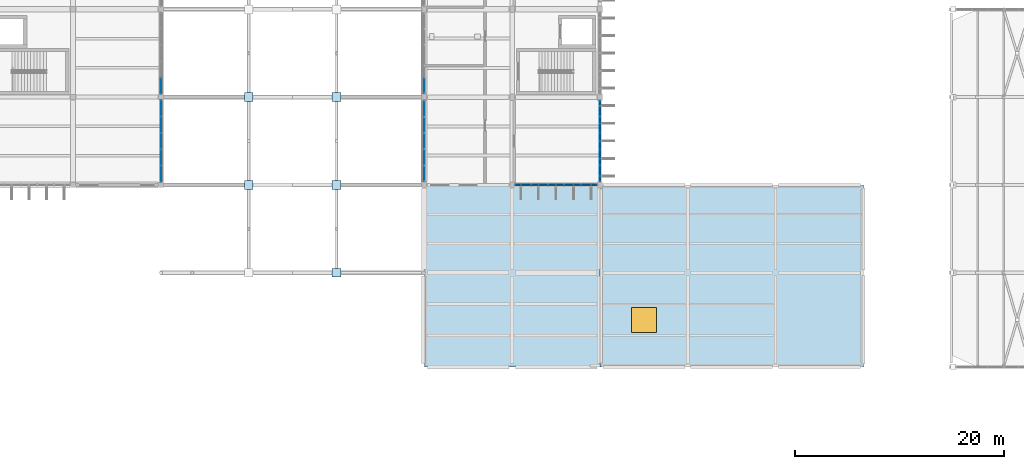
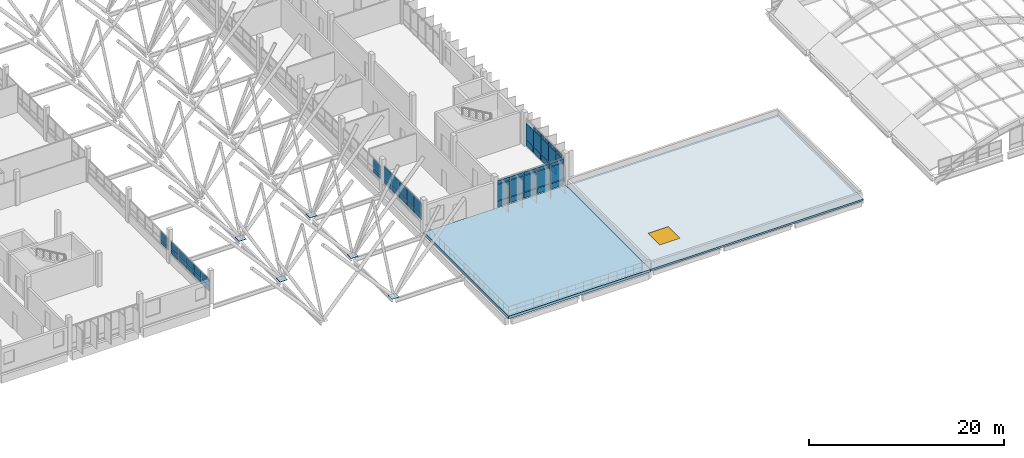
# One storey, part 74 of 107: 58 plates, 2 slabs, 1 window, 1 opening, 6 elements without a shape of their own.
"""IFC4 building model written with IfcOpenShell, lengths in metres."""

from ifc_helpers import new_model, si_unit, direction, frame, origin, origin_2d, place, context, subcontext, project, spatial, polyline, rectangle, outline, extrude, material, layer, layer_set, type_object, element, fill, aggregate, save


model = new_model("IFC4")

# Units and contexts
model_context = context("Model", 3, precision=1e-05, world=origin(), true_north=direction((0.0, 1.0)))
body_context = subcontext(model_context, "Body", "Model", "MODEL_VIEW")
ifc_project = project(units=[si_unit("LENGTHUNIT", "METRE"), si_unit("AREAUNIT", "SQUARE_METRE"), si_unit("VOLUMEUNIT", "CUBIC_METRE"), si_unit("PLANEANGLEUNIT", "RADIAN"), si_unit("MASSUNIT", "GRAM", prefix="KILO")], contexts=[model_context])

# Site, building, storey
site_placement = place(None, origin())
site = spatial("IfcSite", under=ifc_project, at=site_placement, CompositionType="ELEMENT")
building_placement = place(site_placement, origin())
building = spatial("IfcBuilding", under=site, at=building_placement, Name="Vireocrest Preparatory School", CompositionType="ELEMENT")
storey_placement = place(building_placement, frame((0.0, 0.0, 13.199951171875)))
storey = spatial("IfcBuildingStorey", under=building, at=storey_placement, Name="L03", CompositionType="ELEMENT", Elevation=13.199951171875)

# Curtain wall, plates
ifc_material_1 = material(Name="Thermally broken aluminium EN AW-6063-T6", Category="aluminium")
ifc_layer_1 = layer(ifc_material_1, 0.179931640625)
ifc_layer_set_1 = layer_set([ifc_layer_1], Name="Thermally broken aluminium EN AW-6063-T6")
curtain_wall_type_1 = type_object("IfcCurtainWallType", Name="Library Reading Bay Glazing 7600x4200", PredefinedType="USERDEFINED", material=ifc_layer_set_1)
curtain_wall_1_placement = place(storey_placement, origin())
curtain_wall_1 = element("IfcCurtainWall", 1, at=curtain_wall_1_placement, inside=storey, type_object=curtain_wall_type_1, Name="Curtain Wall CW16 CW_L03_CW16_1010_0354_132", ObjectType="CURTAIN WALL", PredefinedType="USERDEFINED")
ifc_material_2 = material(Name="Insulated triple low-e tempered safety glass", Category="glass")
ifc_layer_2 = layer(ifc_material_2, 0.074951171875)
ifc_layer_set_2 = layer_set([ifc_layer_2], Name="Insulated triple low-e tempered safety glass")
plate_type_1 = type_object("IfcPlateType", Name="Acoustic Triple-Glazed Lab Curtain Panel 75", PredefinedType="CURTAIN_PANEL", material=ifc_layer_set_2)
plate_1_placement = place(storey_placement, frame((101.847900390625, 35.39990234375, 0.8828125), z_axis=(0.0, 0.0, 1.0), x_axis=(1.0, 0.0, 0.0)))
plate_1 = element("IfcPlate", 2, at=plate_1_placement, type_object=plate_type_1, Name="CW Panel GL2 CW_L03_CW16_1010_0354_132-1-2", PredefinedType="CURTAIN_PANEL", context=body_context, shape_type="SweptSolid", body=[
    extrude(rectangle(XDim=1.510986328125, YDim=0.074951171875, at=origin_2d()), origin(), (0.0, 0.0, 1.0), 2.014892578125),
])
plate_2_placement = place(storey_placement, frame((101.847900390625, 35.39990234375, 2.96240234375), z_axis=(0.0, 0.0, 1.0), x_axis=(1.0, 0.0, 0.0)))
plate_2 = element("IfcPlate", 3, at=plate_2_placement, type_object=plate_type_1, Name="CW Panel GL2 CW_L03_CW16_1010_0354_132-1-3", PredefinedType="CURTAIN_PANEL", context=body_context, shape_type="SweptSolid", body=[
    extrude(rectangle(XDim=1.510986328125, YDim=0.074951171875, at=origin_2d()), origin(), (0.0, 0.0, 1.0), 0.409912109375),
])
plate_3_placement = place(storey_placement, frame((103.424072265625, 35.39990234375, 0.8828125), z_axis=(0.0, 0.0, 1.0), x_axis=(1.0, 0.0, 0.0)))
plate_3 = element("IfcPlate", 4, at=plate_3_placement, type_object=plate_type_1, Name="CW Panel GL2 CW_L03_CW16_1010_0354_132-2-2", PredefinedType="CURTAIN_PANEL", context=body_context, shape_type="SweptSolid", body=[
    extrude(rectangle(XDim=1.510986328125, YDim=0.074951171875, at=origin_2d()), origin(), (0.0, 0.0, 1.0), 2.014892578125),
])
plate_4_placement = place(storey_placement, frame((103.424072265625, 35.39990234375, 2.96240234375), z_axis=(0.0, 0.0, 1.0), x_axis=(1.0, 0.0, 0.0)))
plate_4 = element("IfcPlate", 5, at=plate_4_placement, type_object=plate_type_1, Name="CW Panel GL2 CW_L03_CW16_1010_0354_132-2-3", PredefinedType="CURTAIN_PANEL", context=body_context, shape_type="SweptSolid", body=[
    extrude(rectangle(XDim=1.510986328125, YDim=0.074951171875, at=origin_2d()), origin(), (0.0, 0.0, 1.0), 0.409912109375),
])
plate_5_placement = place(storey_placement, frame((105.0, 35.39990234375, 0.8828125), z_axis=(0.0, 0.0, 1.0), x_axis=(1.0, 0.0, 0.0)))
plate_5 = element("IfcPlate", 6, at=plate_5_placement, type_object=plate_type_1, Name="CW Panel GL2 CW_L03_CW16_1010_0354_132-3-2", PredefinedType="CURTAIN_PANEL", context=body_context, shape_type="SweptSolid", body=[
    extrude(rectangle(XDim=1.510986328125, YDim=0.074951171875, at=origin_2d()), origin(), (0.0, 0.0, 1.0), 2.014892578125),
])
plate_6_placement = place(storey_placement, frame((105.0, 35.39990234375, 2.96240234375), z_axis=(0.0, 0.0, 1.0), x_axis=(1.0, 0.0, 0.0)))
plate_6 = element("IfcPlate", 7, at=plate_6_placement, type_object=plate_type_1, Name="CW Panel GL2 CW_L03_CW16_1010_0354_132-3-3", PredefinedType="CURTAIN_PANEL", context=body_context, shape_type="SweptSolid", body=[
    extrude(rectangle(XDim=1.510986328125, YDim=0.074951171875, at=origin_2d()), origin(), (0.0, 0.0, 1.0), 0.409912109375),
])
plate_7_placement = place(storey_placement, frame((106.575927734375, 35.39990234375, 0.8828125), z_axis=(0.0, 0.0, 1.0), x_axis=(1.0, 0.0, 0.0)))
plate_7 = element("IfcPlate", 8, at=plate_7_placement, type_object=plate_type_1, Name="CW Panel GL2 CW_L03_CW16_1010_0354_132-4-2", PredefinedType="CURTAIN_PANEL", context=body_context, shape_type="SweptSolid", body=[
    extrude(rectangle(XDim=1.510986328125, YDim=0.074951171875, at=origin_2d()), origin(), (0.0, 0.0, 1.0), 2.014892578125),
])
plate_8_placement = place(storey_placement, frame((106.575927734375, 35.39990234375, 2.96240234375), z_axis=(0.0, 0.0, 1.0), x_axis=(1.0, 0.0, 0.0)))
plate_8 = element("IfcPlate", 9, at=plate_8_placement, type_object=plate_type_1, Name="CW Panel GL2 CW_L03_CW16_1010_0354_132-4-3", PredefinedType="CURTAIN_PANEL", context=body_context, shape_type="SweptSolid", body=[
    extrude(rectangle(XDim=1.510986328125, YDim=0.074951171875, at=origin_2d()), origin(), (0.0, 0.0, 1.0), 0.409912109375),
])
plate_9_placement = place(storey_placement, frame((108.152099609375, 35.39990234375, 0.8828125), z_axis=(0.0, 0.0, 1.0), x_axis=(1.0, 0.0, 0.0)))
plate_9 = element("IfcPlate", 10, at=plate_9_placement, type_object=plate_type_1, Name="CW Panel GL2 CW_L03_CW16_1010_0354_132-5-2", PredefinedType="CURTAIN_PANEL", context=body_context, shape_type="SweptSolid", body=[
    extrude(rectangle(XDim=1.510986328125, YDim=0.074951171875, at=origin_2d()), origin(), (0.0, 0.0, 1.0), 2.014892578125),
])
plate_10_placement = place(storey_placement, frame((108.152099609375, 35.39990234375, 2.96240234375), z_axis=(0.0, 0.0, 1.0), x_axis=(1.0, 0.0, 0.0)))
plate_10 = element("IfcPlate", 11, at=plate_10_placement, type_object=plate_type_1, Name="CW Panel GL2 CW_L03_CW16_1010_0354_132-5-3", PredefinedType="CURTAIN_PANEL", context=body_context, shape_type="SweptSolid", body=[
    extrude(rectangle(XDim=1.510986328125, YDim=0.074951171875, at=origin_2d()), origin(), (0.0, 0.0, 1.0), 0.409912109375),
])

ifc_layer_3 = layer(ifc_material_1, 0.179931640625)
ifc_layer_set_3 = layer_set([ifc_layer_3], Name="Thermally broken aluminium EN AW-6063-T6")
curtain_wall_type_2 = type_object("IfcCurtainWallType", Name="Teaching Fin Curtain Wall 8400x4200", PredefinedType="USERDEFINED", material=ifc_layer_set_3)
curtain_wall_2_placement = place(storey_placement, origin())
curtain_wall_2 = element("IfcCurtainWall", 12, at=curtain_wall_2_placement, inside=storey, type_object=curtain_wall_type_2, Name="Curtain Wall CW03 CW_L03_CW03_1092_0357_132", ObjectType="CURTAIN WALL", PredefinedType="USERDEFINED")
plate_11_placement = place(storey_placement, frame((109.199951171875, 36.508056640625, 0.8828125), z_axis=(0.0, 0.0, 1.0), x_axis=(0.0, 1.0, 0.0)))
plate_11 = element("IfcPlate", 13, at=plate_11_placement, type_object=plate_type_1, Name="CW Panel GL2 CW_L03_CW03_1092_0357_132-1-2", PredefinedType="CURTAIN_PANEL", context=body_context, shape_type="SweptSolid", body=[
    extrude(rectangle(XDim=1.48095703125, YDim=0.074951171875, at=origin_2d()), origin(), (0.0, 0.0, 1.0), 2.014892578125),
])
plate_12_placement = place(storey_placement, frame((109.199951171875, 36.508056640625, 2.96240234375), z_axis=(0.0, 0.0, 1.0), x_axis=(0.0, 1.0, 0.0)))
plate_12 = element("IfcPlate", 14, at=plate_12_placement, type_object=plate_type_1, Name="CW Panel GL2 CW_L03_CW03_1092_0357_132-1-3", PredefinedType="CURTAIN_PANEL", context=body_context, shape_type="SweptSolid", body=[
    extrude(rectangle(XDim=1.48095703125, YDim=0.074951171875, at=origin_2d()), origin(), (0.0, 0.0, 1.0), 0.409912109375),
])
plate_13_placement = place(storey_placement, frame((109.199951171875, 38.053955078125, 0.8828125), z_axis=(0.0, 0.0, 1.0), x_axis=(0.0, 1.0, 0.0)))
plate_13 = element("IfcPlate", 15, at=plate_13_placement, type_object=plate_type_1, Name="CW Panel GL2 CW_L03_CW03_1092_0357_132-2-2", PredefinedType="CURTAIN_PANEL", context=body_context, shape_type="SweptSolid", body=[
    extrude(rectangle(XDim=1.48095703125, YDim=0.074951171875, at=origin_2d()), origin(), (0.0, 0.0, 1.0), 2.014892578125),
])
plate_14_placement = place(storey_placement, frame((109.199951171875, 38.053955078125, 2.96240234375), z_axis=(0.0, 0.0, 1.0), x_axis=(0.0, 1.0, 0.0)))
plate_14 = element("IfcPlate", 16, at=plate_14_placement, type_object=plate_type_1, Name="CW Panel GL2 CW_L03_CW03_1092_0357_132-2-3", PredefinedType="CURTAIN_PANEL", context=body_context, shape_type="SweptSolid", body=[
    extrude(rectangle(XDim=1.48095703125, YDim=0.074951171875, at=origin_2d()), origin(), (0.0, 0.0, 1.0), 0.409912109375),
])
plate_15_placement = place(storey_placement, frame((109.199951171875, 39.60009765625, 0.8828125), z_axis=(0.0, 0.0, 1.0), x_axis=(0.0, 1.0, 0.0)))
plate_15 = element("IfcPlate", 17, at=plate_15_placement, type_object=plate_type_1, Name="CW Panel GL2 CW_L03_CW03_1092_0357_132-3-2", PredefinedType="CURTAIN_PANEL", context=body_context, shape_type="SweptSolid", body=[
    extrude(rectangle(XDim=1.48095703125, YDim=0.074951171875, at=origin_2d()), origin(), (0.0, 0.0, 1.0), 2.014892578125),
])
plate_16_placement = place(storey_placement, frame((109.199951171875, 39.60009765625, 2.96240234375), z_axis=(0.0, 0.0, 1.0), x_axis=(0.0, 1.0, 0.0)))
plate_16 = element("IfcPlate", 18, at=plate_16_placement, type_object=plate_type_1, Name="CW Panel GL2 CW_L03_CW03_1092_0357_132-3-3", PredefinedType="CURTAIN_PANEL", context=body_context, shape_type="SweptSolid", body=[
    extrude(rectangle(XDim=1.48095703125, YDim=0.074951171875, at=origin_2d()), origin(), (0.0, 0.0, 1.0), 0.409912109375),
])
plate_17_placement = place(storey_placement, frame((109.199951171875, 41.14599609375, 0.8828125), z_axis=(0.0, 0.0, 1.0), x_axis=(0.0, 1.0, 0.0)))
plate_17 = element("IfcPlate", 19, at=plate_17_placement, type_object=plate_type_1, Name="CW Panel GL2 CW_L03_CW03_1092_0357_132-4-2", PredefinedType="CURTAIN_PANEL", context=body_context, shape_type="SweptSolid", body=[
    extrude(rectangle(XDim=1.48095703125, YDim=0.074951171875, at=origin_2d()), origin(), (0.0, 0.0, 1.0), 2.014892578125),
])
plate_18_placement = place(storey_placement, frame((109.199951171875, 41.14599609375, 2.96240234375), z_axis=(0.0, 0.0, 1.0), x_axis=(0.0, 1.0, 0.0)))
plate_18 = element("IfcPlate", 20, at=plate_18_placement, type_object=plate_type_1, Name="CW Panel GL2 CW_L03_CW03_1092_0357_132-4-3", PredefinedType="CURTAIN_PANEL", context=body_context, shape_type="SweptSolid", body=[
    extrude(rectangle(XDim=1.48095703125, YDim=0.074951171875, at=origin_2d()), origin(), (0.0, 0.0, 1.0), 0.409912109375),
])
plate_19_placement = place(storey_placement, frame((109.199951171875, 42.69189453125, 0.8828125), z_axis=(0.0, 0.0, 1.0), x_axis=(0.0, 1.0, 0.0)))
plate_19 = element("IfcPlate", 21, at=plate_19_placement, type_object=plate_type_1, Name="CW Panel GL2 CW_L03_CW03_1092_0357_132-5-2", PredefinedType="CURTAIN_PANEL", context=body_context, shape_type="SweptSolid", body=[
    extrude(rectangle(XDim=1.48095703125, YDim=0.074951171875, at=origin_2d()), origin(), (0.0, 0.0, 1.0), 2.014892578125),
])

# Slab, opening, window
ifc_material_3 = material(Name="Concrete 40 MPa", Category="concrete")
ifc_layer_4 = layer(ifc_material_3, 0.219970703125)
ifc_layer_set_4 = layer_set([ifc_layer_4], Name="Concrete 40 MPa")
slab_type_1 = type_object("IfcSlabType", Name="Insulated Flat Concrete Roof Slab 220", PredefinedType="ROOF", material=ifc_layer_set_4)
slab_1_placement = place(storey_placement, frame((0.0, 0.0, -0.219970703125)))
slab_1 = element("IfcSlab", 22, at=slab_1_placement, inside=storey, type_object=slab_type_1, Name="Slab L03_EAST_STUDIO_ROOF", PredefinedType="ROOF", context=body_context, shape_type="SweptSolid", body=[
    extrude(outline(polyline([(109.199951171875, 18.0), (134.39990234375, 18.0), (134.39990234375, 35.39990234375), (109.199951171875, 35.39990234375), (109.199951171875, 18.0)])), origin(), (0.0, 0.0, 1.0), 0.219970703125),
])
opening_placement = place(slab_1_placement, frame((113.39990234375, 22.5, -0.010009765625)))
opening = element("IfcOpeningElement", 23, at=opening_placement, cuts=slab_1, Name="Opening SK05", PredefinedType="OPENING", context=body_context, shape_type="SweptSolid", body=[
    extrude(rectangle(XDim=2.39990234375, YDim=2.39990234375, at=origin_2d()), origin(), (0.0, 0.0, 1.0), 0.239990234375),
])
ifc_material_4 = material(Name="Tempered solar-control skylight glass", Category="glass")
window_type = type_object("IfcWindowType", Name="Science Atrium Skylight 2400x2400", PartitioningType="SINGLE_PANEL", PredefinedType="SKYLIGHT", material=ifc_material_4)
window_placement = place(opening_placement, frame((0.0, 0.0, 0.179931640625)))
window = element("IfcWindow", 24, at=window_placement, inside=storey, type_object=window_type, Name="Roof Skylight SK05-04", OverallHeight=2.39990234375, OverallWidth=2.39990234375, PartitioningType="SINGLE_PANEL", PredefinedType="SKYLIGHT", context=body_context, shape_type="SweptSolid", body=[
    extrude(rectangle(XDim=2.39990234375, YDim=2.39990234375, at=origin_2d()), origin(), (0.0, 0.0, 1.0), 0.050048828125),
])
fill(opening, window)

# Plate
ifc_material_5 = material(Name="Painted white aluminium cladding EN AW-6063-T6", Category="aluminium")
ifc_layer_5 = layer(ifc_material_5, 0.114990234375)
ifc_layer_set_5 = layer_set([ifc_layer_5], Name="Painted white aluminium cladding EN AW-6063-T6")
plate_type_2 = type_object("IfcPlateType", Name="Insulated White Spandrel Curtain Panel 115", PredefinedType="CURTAIN_PANEL", material=ifc_layer_set_5)
plate_20_placement = place(storey_placement, frame((101.847900390625, 35.39990234375, 0.127685546875), z_axis=(0.0, 0.0, 1.0), x_axis=(1.0, 0.0, 0.0)))
plate_20 = element("IfcPlate", 25, at=plate_20_placement, type_object=plate_type_2, Name="CW Panel SP2 CW_L03_CW16_1010_0354_132-1-1", PredefinedType="CURTAIN_PANEL", context=body_context, shape_type="SweptSolid", body=[
    extrude(rectangle(XDim=1.510986328125, YDim=0.114990234375, at=origin_2d()), origin(), (0.0, 0.0, 1.0), 0.68994140625),
])

plate_21_placement = place(storey_placement, frame((103.424072265625, 35.39990234375, 0.127685546875), z_axis=(0.0, 0.0, 1.0), x_axis=(1.0, 0.0, 0.0)))
plate_21 = element("IfcPlate", 26, at=plate_21_placement, type_object=plate_type_2, Name="CW Panel SP2 CW_L03_CW16_1010_0354_132-2-1", PredefinedType="CURTAIN_PANEL", context=body_context, shape_type="SweptSolid", body=[
    extrude(rectangle(XDim=1.510986328125, YDim=0.114990234375, at=origin_2d()), origin(), (0.0, 0.0, 1.0), 0.68994140625),
])

plate_22_placement = place(storey_placement, frame((105.0, 35.39990234375, 0.127685546875), z_axis=(0.0, 0.0, 1.0), x_axis=(1.0, 0.0, 0.0)))
plate_22 = element("IfcPlate", 27, at=plate_22_placement, type_object=plate_type_2, Name="CW Panel SP2 CW_L03_CW16_1010_0354_132-3-1", PredefinedType="CURTAIN_PANEL", context=body_context, shape_type="SweptSolid", body=[
    extrude(rectangle(XDim=1.510986328125, YDim=0.114990234375, at=origin_2d()), origin(), (0.0, 0.0, 1.0), 0.68994140625),
])

plate_23_placement = place(storey_placement, frame((106.575927734375, 35.39990234375, 0.127685546875), z_axis=(0.0, 0.0, 1.0), x_axis=(1.0, 0.0, 0.0)))
plate_23 = element("IfcPlate", 28, at=plate_23_placement, type_object=plate_type_2, Name="CW Panel SP2 CW_L03_CW16_1010_0354_132-4-1", PredefinedType="CURTAIN_PANEL", context=body_context, shape_type="SweptSolid", body=[
    extrude(rectangle(XDim=1.510986328125, YDim=0.114990234375, at=origin_2d()), origin(), (0.0, 0.0, 1.0), 0.68994140625),
])

plate_24_placement = place(storey_placement, frame((108.152099609375, 35.39990234375, 0.127685546875), z_axis=(0.0, 0.0, 1.0), x_axis=(1.0, 0.0, 0.0)))
plate_24 = element("IfcPlate", 29, at=plate_24_placement, type_object=plate_type_2, Name="CW Panel SP2 CW_L03_CW16_1010_0354_132-5-1", PredefinedType="CURTAIN_PANEL", context=body_context, shape_type="SweptSolid", body=[
    extrude(rectangle(XDim=1.510986328125, YDim=0.114990234375, at=origin_2d()), origin(), (0.0, 0.0, 1.0), 0.68994140625),
])

aggregate(curtain_wall_1, [plate_20, plate_1, plate_2, plate_21, plate_3, plate_4, plate_22, plate_5, plate_6, plate_23, plate_7, plate_8, plate_24, plate_9, plate_10])

plate_25_placement = place(storey_placement, frame((109.199951171875, 36.508056640625, 0.127685546875), z_axis=(0.0, 0.0, 1.0), x_axis=(0.0, 1.0, 0.0)))
plate_25 = element("IfcPlate", 30, at=plate_25_placement, type_object=plate_type_2, Name="CW Panel SP2 CW_L03_CW03_1092_0357_132-1-1", PredefinedType="CURTAIN_PANEL", context=body_context, shape_type="SweptSolid", body=[
    extrude(rectangle(XDim=1.48095703125, YDim=0.114990234375, at=origin_2d()), origin(), (0.0, 0.0, 1.0), 0.68994140625),
])

plate_26_placement = place(storey_placement, frame((109.199951171875, 38.053955078125, 0.127685546875), z_axis=(0.0, 0.0, 1.0), x_axis=(0.0, 1.0, 0.0)))
plate_26 = element("IfcPlate", 31, at=plate_26_placement, type_object=plate_type_2, Name="CW Panel SP2 CW_L03_CW03_1092_0357_132-2-1", PredefinedType="CURTAIN_PANEL", context=body_context, shape_type="SweptSolid", body=[
    extrude(rectangle(XDim=1.48095703125, YDim=0.114990234375, at=origin_2d()), origin(), (0.0, 0.0, 1.0), 0.68994140625),
])

plate_27_placement = place(storey_placement, frame((109.199951171875, 39.60009765625, 0.127685546875), z_axis=(0.0, 0.0, 1.0), x_axis=(0.0, 1.0, 0.0)))
plate_27 = element("IfcPlate", 32, at=plate_27_placement, type_object=plate_type_2, Name="CW Panel SP2 CW_L03_CW03_1092_0357_132-3-1", PredefinedType="CURTAIN_PANEL", context=body_context, shape_type="SweptSolid", body=[
    extrude(rectangle(XDim=1.48095703125, YDim=0.114990234375, at=origin_2d()), origin(), (0.0, 0.0, 1.0), 0.68994140625),
])

plate_28_placement = place(storey_placement, frame((109.199951171875, 41.14599609375, 0.127685546875), z_axis=(0.0, 0.0, 1.0), x_axis=(0.0, 1.0, 0.0)))
plate_28 = element("IfcPlate", 33, at=plate_28_placement, type_object=plate_type_2, Name="CW Panel SP2 CW_L03_CW03_1092_0357_132-4-1", PredefinedType="CURTAIN_PANEL", context=body_context, shape_type="SweptSolid", body=[
    extrude(rectangle(XDim=1.48095703125, YDim=0.114990234375, at=origin_2d()), origin(), (0.0, 0.0, 1.0), 0.68994140625),
])

plate_29_placement = place(storey_placement, frame((109.199951171875, 42.69189453125, 0.127685546875), z_axis=(0.0, 0.0, 1.0), x_axis=(0.0, 1.0, 0.0)))
plate_29 = element("IfcPlate", 34, at=plate_29_placement, type_object=plate_type_2, Name="CW Panel SP2 CW_L03_CW03_1092_0357_132-5-1", PredefinedType="CURTAIN_PANEL", context=body_context, shape_type="SweptSolid", body=[
    extrude(rectangle(XDim=1.48095703125, YDim=0.114990234375, at=origin_2d()), origin(), (0.0, 0.0, 1.0), 0.68994140625),
])

aggregate(curtain_wall_2, [plate_25, plate_11, plate_12, plate_26, plate_13, plate_14, plate_27, plate_15, plate_16, plate_28, plate_17, plate_18, plate_29, plate_19])

# Slab
ifc_layer_6 = layer(ifc_material_3, 0.320068359375)
ifc_layer_set_6 = layer_set([ifc_layer_6], Name="Concrete 40 MPa")
slab_type_2 = type_object("IfcSlabType", Name="Outdoor Play Deck and Terrace Structural Slab 320", PredefinedType="FLOOR", material=ifc_layer_set_6)
slab_2_placement = place(storey_placement, frame((0.0, 0.0, -0.320068359375)))
element("IfcSlab", 35, at=slab_2_placement, inside=storey, type_object=slab_type_2, Name="Slab L03_SCIENCE_TERRACE", PredefinedType="FLOOR", context=body_context, shape_type="SweptSolid", body=[
    extrude(outline(polyline([(92.39990234375, 18.0), (109.199951171875, 18.0), (109.199951171875, 35.39990234375), (92.39990234375, 35.39990234375), (92.39990234375, 18.0)])), origin(), (0.0, 0.0, 1.0), 0.320068359375),
])

# Curtain wall, plates
ifc_layer_7 = layer(ifc_material_1, 0.179931640625)
ifc_layer_set_7 = layer_set([ifc_layer_7], Name="Thermally broken aluminium EN AW-6063-T6")
curtain_wall_type_3 = type_object("IfcCurtainWallType", Name="Court Banded Curtain Wall 8400x3000", PredefinedType="USERDEFINED", material=ifc_layer_set_7)
curtain_wall_3_placement = place(storey_placement, origin())
curtain_wall_3 = element("IfcCurtainWall", 36, at=curtain_wall_3_placement, inside=storey, type_object=curtain_wall_type_3, Name="Curtain Wall CW02 CW_L03_CW02_0672_0356_144", ObjectType="CURTAIN WALL", PredefinedType="USERDEFINED")
ifc_layer_8 = layer(ifc_material_2, 0.06005859375)
ifc_layer_set_8 = layer_set([ifc_layer_8], Name="Insulated triple low-e tempered safety glass")
plate_type_3 = type_object("IfcPlateType", Name="Triple-Glazed Vision Curtain Panel 60", PredefinedType="CURTAIN_PANEL", material=ifc_layer_set_8)
plate_30_placement = place(storey_placement, frame((67.199951171875, 36.468017578125, 1.277587890625), z_axis=(0.0, 0.0, 1.0), x_axis=(0.0, 1.0, 0.0)))
plate_30 = element("IfcPlate", 37, at=plate_30_placement, type_object=plate_type_3, Name="CW Panel GL1 CW_L03_CW02_0672_0356_144-1-1", PredefinedType="CURTAIN_PANEL", context=body_context, shape_type="SweptSolid", body=[
    extrude(rectangle(XDim=1.5009765625, YDim=0.06005859375, at=origin_2d()), origin(), (0.0, 0.0, 1.0), 0.5400390625),
])
plate_31_placement = place(storey_placement, frame((67.199951171875, 36.468017578125, 1.8828125), z_axis=(0.0, 0.0, 1.0), x_axis=(0.0, 1.0, 0.0)))
plate_31 = element("IfcPlate", 38, at=plate_31_placement, type_object=plate_type_3, Name="CW Panel GL1 CW_L03_CW02_0672_0356_144-1-2", PredefinedType="CURTAIN_PANEL", context=body_context, shape_type="SweptSolid", body=[
    extrude(rectangle(XDim=1.5009765625, YDim=0.06005859375, at=origin_2d()), origin(), (0.0, 0.0, 1.0), 0.889892578125),
])
plate_32_placement = place(storey_placement, frame((67.199951171875, 38.033935546875, 1.277587890625), z_axis=(0.0, 0.0, 1.0), x_axis=(0.0, 1.0, 0.0)))
plate_32 = element("IfcPlate", 39, at=plate_32_placement, type_object=plate_type_3, Name="CW Panel GL1 CW_L03_CW02_0672_0356_144-2-1", PredefinedType="CURTAIN_PANEL", context=body_context, shape_type="SweptSolid", body=[
    extrude(rectangle(XDim=1.5009765625, YDim=0.06005859375, at=origin_2d()), origin(), (0.0, 0.0, 1.0), 0.5400390625),
])
plate_33_placement = place(storey_placement, frame((67.199951171875, 38.033935546875, 1.8828125), z_axis=(0.0, 0.0, 1.0), x_axis=(0.0, 1.0, 0.0)))
plate_33 = element("IfcPlate", 40, at=plate_33_placement, type_object=plate_type_3, Name="CW Panel GL1 CW_L03_CW02_0672_0356_144-2-2", PredefinedType="CURTAIN_PANEL", context=body_context, shape_type="SweptSolid", body=[
    extrude(rectangle(XDim=1.5009765625, YDim=0.06005859375, at=origin_2d()), origin(), (0.0, 0.0, 1.0), 0.889892578125),
])
plate_34_placement = place(storey_placement, frame((67.199951171875, 39.60009765625, 1.277587890625), z_axis=(0.0, 0.0, 1.0), x_axis=(0.0, 1.0, 0.0)))
plate_34 = element("IfcPlate", 41, at=plate_34_placement, type_object=plate_type_3, Name="CW Panel GL1 CW_L03_CW02_0672_0356_144-3-1", PredefinedType="CURTAIN_PANEL", context=body_context, shape_type="SweptSolid", body=[
    extrude(rectangle(XDim=1.5009765625, YDim=0.06005859375, at=origin_2d()), origin(), (0.0, 0.0, 1.0), 0.5400390625),
])
plate_35_placement = place(storey_placement, frame((67.199951171875, 39.60009765625, 1.8828125), z_axis=(0.0, 0.0, 1.0), x_axis=(0.0, 1.0, 0.0)))
plate_35 = element("IfcPlate", 42, at=plate_35_placement, type_object=plate_type_3, Name="CW Panel GL1 CW_L03_CW02_0672_0356_144-3-2", PredefinedType="CURTAIN_PANEL", context=body_context, shape_type="SweptSolid", body=[
    extrude(rectangle(XDim=1.5009765625, YDim=0.06005859375, at=origin_2d()), origin(), (0.0, 0.0, 1.0), 0.889892578125),
])
plate_36_placement = place(storey_placement, frame((67.199951171875, 41.166015625, 1.277587890625), z_axis=(0.0, 0.0, 1.0), x_axis=(0.0, 1.0, 0.0)))
plate_36 = element("IfcPlate", 43, at=plate_36_placement, type_object=plate_type_3, Name="CW Panel GL1 CW_L03_CW02_0672_0356_144-4-1", PredefinedType="CURTAIN_PANEL", context=body_context, shape_type="SweptSolid", body=[
    extrude(rectangle(XDim=1.5009765625, YDim=0.06005859375, at=origin_2d()), origin(), (0.0, 0.0, 1.0), 0.5400390625),
])
plate_37_placement = place(storey_placement, frame((67.199951171875, 41.166015625, 1.8828125), z_axis=(0.0, 0.0, 1.0), x_axis=(0.0, 1.0, 0.0)))
plate_37 = element("IfcPlate", 44, at=plate_37_placement, type_object=plate_type_3, Name="CW Panel GL1 CW_L03_CW02_0672_0356_144-4-2", PredefinedType="CURTAIN_PANEL", context=body_context, shape_type="SweptSolid", body=[
    extrude(rectangle(XDim=1.5009765625, YDim=0.06005859375, at=origin_2d()), origin(), (0.0, 0.0, 1.0), 0.889892578125),
])
plate_38_placement = place(storey_placement, frame((67.199951171875, 42.73193359375, 1.277587890625), z_axis=(0.0, 0.0, 1.0), x_axis=(0.0, 1.0, 0.0)))
plate_38 = element("IfcPlate", 45, at=plate_38_placement, type_object=plate_type_3, Name="CW Panel GL1 CW_L03_CW02_0672_0356_144-5-1", PredefinedType="CURTAIN_PANEL", context=body_context, shape_type="SweptSolid", body=[
    extrude(rectangle(XDim=1.5009765625, YDim=0.06005859375, at=origin_2d()), origin(), (0.0, 0.0, 1.0), 0.5400390625),
])
plate_39_placement = place(storey_placement, frame((67.199951171875, 42.73193359375, 1.8828125), z_axis=(0.0, 0.0, 1.0), x_axis=(0.0, 1.0, 0.0)))
plate_39 = element("IfcPlate", 46, at=plate_39_placement, type_object=plate_type_3, Name="CW Panel GL1 CW_L03_CW02_0672_0356_144-5-2", PredefinedType="CURTAIN_PANEL", context=body_context, shape_type="SweptSolid", body=[
    extrude(rectangle(XDim=1.5009765625, YDim=0.06005859375, at=origin_2d()), origin(), (0.0, 0.0, 1.0), 0.889892578125),
])
aggregate(curtain_wall_3, [plate_30, plate_31, plate_32, plate_33, plate_34, plate_35, plate_36, plate_37, plate_38, plate_39])

curtain_wall_4_placement = place(storey_placement, origin())
curtain_wall_4 = element("IfcCurtainWall", 47, at=curtain_wall_4_placement, inside=storey, type_object=curtain_wall_type_3, Name="Curtain Wall CW02 CW_L03_CW02_0672_0440_144", ObjectType="CURTAIN WALL", PredefinedType="USERDEFINED")
plate_40_placement = place(storey_placement, frame((67.199951171875, 44.867919921875, 1.277587890625), z_axis=(0.0, 0.0, 1.0), x_axis=(0.0, 1.0, 0.0)))
plate_40 = element("IfcPlate", 48, at=plate_40_placement, type_object=plate_type_3, Name="CW Panel GL1 CW_L03_CW02_0672_0440_144-1-1", PredefinedType="CURTAIN_PANEL", context=body_context, shape_type="SweptSolid", body=[
    extrude(rectangle(XDim=1.5009765625, YDim=0.06005859375, at=origin_2d()), origin(), (0.0, 0.0, 1.0), 0.5400390625),
])
plate_41_placement = place(storey_placement, frame((67.199951171875, 44.867919921875, 1.882568359375), z_axis=(0.0, 0.0, 1.0), x_axis=(0.0, 1.0, 0.0)))
plate_41 = element("IfcPlate", 49, at=plate_41_placement, type_object=plate_type_3, Name="CW Panel GL1 CW_L03_CW02_0672_0440_144-1-2", PredefinedType="CURTAIN_PANEL", context=body_context, shape_type="SweptSolid", body=[
    extrude(rectangle(XDim=1.5009765625, YDim=0.06005859375, at=origin_2d()), origin(), (0.0, 0.0, 1.0), 0.919921875),
])
aggregate(curtain_wall_4, [plate_40, plate_41])

curtain_wall_5_placement = place(storey_placement, origin())
curtain_wall_5 = element("IfcCurtainWall", 50, at=curtain_wall_5_placement, inside=storey, type_object=curtain_wall_type_3, Name="Curtain Wall CW02 CW_L03_CW02_0924_0357_144", ObjectType="CURTAIN WALL", PredefinedType="USERDEFINED")
plate_42_placement = place(storey_placement, frame((92.39990234375, 36.508056640625, 1.277587890625), z_axis=(0.0, 0.0, 1.0), x_axis=(0.0, 1.0, 0.0)))
plate_42 = element("IfcPlate", 51, at=plate_42_placement, type_object=plate_type_3, Name="CW Panel GL1 CW_L03_CW02_0924_0357_144-1-1", PredefinedType="CURTAIN_PANEL", context=body_context, shape_type="SweptSolid", body=[
    extrude(rectangle(XDim=1.48095703125, YDim=0.06005859375, at=origin_2d()), origin(), (0.0, 0.0, 1.0), 0.5400390625),
])
plate_43_placement = place(storey_placement, frame((92.39990234375, 36.508056640625, 1.88232421875), z_axis=(0.0, 0.0, 1.0), x_axis=(0.0, 1.0, 0.0)))
plate_43 = element("IfcPlate", 52, at=plate_43_placement, type_object=plate_type_3, Name="CW Panel GL1 CW_L03_CW02_0924_0357_144-1-2", PredefinedType="CURTAIN_PANEL", context=body_context, shape_type="SweptSolid", body=[
    extrude(rectangle(XDim=1.48095703125, YDim=0.06005859375, at=origin_2d()), origin(), (0.0, 0.0, 1.0), 1.489990234375),
])
plate_44_placement = place(storey_placement, frame((92.39990234375, 38.053955078125, 1.277587890625), z_axis=(0.0, 0.0, 1.0), x_axis=(0.0, 1.0, 0.0)))
plate_44 = element("IfcPlate", 53, at=plate_44_placement, type_object=plate_type_3, Name="CW Panel GL1 CW_L03_CW02_0924_0357_144-2-1", PredefinedType="CURTAIN_PANEL", context=body_context, shape_type="SweptSolid", body=[
    extrude(rectangle(XDim=1.48095703125, YDim=0.06005859375, at=origin_2d()), origin(), (0.0, 0.0, 1.0), 0.5400390625),
])
plate_45_placement = place(storey_placement, frame((92.39990234375, 38.053955078125, 1.88232421875), z_axis=(0.0, 0.0, 1.0), x_axis=(0.0, 1.0, 0.0)))
plate_45 = element("IfcPlate", 54, at=plate_45_placement, type_object=plate_type_3, Name="CW Panel GL1 CW_L03_CW02_0924_0357_144-2-2", PredefinedType="CURTAIN_PANEL", context=body_context, shape_type="SweptSolid", body=[
    extrude(rectangle(XDim=1.48095703125, YDim=0.06005859375, at=origin_2d()), origin(), (0.0, 0.0, 1.0), 1.489990234375),
])
plate_46_placement = place(storey_placement, frame((92.39990234375, 39.60009765625, 1.277587890625), z_axis=(0.0, 0.0, 1.0), x_axis=(0.0, 1.0, 0.0)))
plate_46 = element("IfcPlate", 55, at=plate_46_placement, type_object=plate_type_3, Name="CW Panel GL1 CW_L03_CW02_0924_0357_144-3-1", PredefinedType="CURTAIN_PANEL", context=body_context, shape_type="SweptSolid", body=[
    extrude(rectangle(XDim=1.48095703125, YDim=0.06005859375, at=origin_2d()), origin(), (0.0, 0.0, 1.0), 0.5400390625),
])
plate_47_placement = place(storey_placement, frame((92.39990234375, 39.60009765625, 1.88232421875), z_axis=(0.0, 0.0, 1.0), x_axis=(0.0, 1.0, 0.0)))
plate_47 = element("IfcPlate", 56, at=plate_47_placement, type_object=plate_type_3, Name="CW Panel GL1 CW_L03_CW02_0924_0357_144-3-2", PredefinedType="CURTAIN_PANEL", context=body_context, shape_type="SweptSolid", body=[
    extrude(rectangle(XDim=1.48095703125, YDim=0.06005859375, at=origin_2d()), origin(), (0.0, 0.0, 1.0), 1.489990234375),
])
plate_48_placement = place(storey_placement, frame((92.39990234375, 41.14599609375, 1.277587890625), z_axis=(0.0, 0.0, 1.0), x_axis=(0.0, 1.0, 0.0)))
plate_48 = element("IfcPlate", 57, at=plate_48_placement, type_object=plate_type_3, Name="CW Panel GL1 CW_L03_CW02_0924_0357_144-4-1", PredefinedType="CURTAIN_PANEL", context=body_context, shape_type="SweptSolid", body=[
    extrude(rectangle(XDim=1.48095703125, YDim=0.06005859375, at=origin_2d()), origin(), (0.0, 0.0, 1.0), 0.5400390625),
])
plate_49_placement = place(storey_placement, frame((92.39990234375, 41.14599609375, 1.88232421875), z_axis=(0.0, 0.0, 1.0), x_axis=(0.0, 1.0, 0.0)))
plate_49 = element("IfcPlate", 58, at=plate_49_placement, type_object=plate_type_3, Name="CW Panel GL1 CW_L03_CW02_0924_0357_144-4-2", PredefinedType="CURTAIN_PANEL", context=body_context, shape_type="SweptSolid", body=[
    extrude(rectangle(XDim=1.48095703125, YDim=0.06005859375, at=origin_2d()), origin(), (0.0, 0.0, 1.0), 1.489990234375),
])
plate_50_placement = place(storey_placement, frame((92.39990234375, 42.69189453125, 1.277587890625), z_axis=(0.0, 0.0, 1.0), x_axis=(0.0, 1.0, 0.0)))
plate_50 = element("IfcPlate", 59, at=plate_50_placement, type_object=plate_type_3, Name="CW Panel GL1 CW_L03_CW02_0924_0357_144-5-1", PredefinedType="CURTAIN_PANEL", context=body_context, shape_type="SweptSolid", body=[
    extrude(rectangle(XDim=1.48095703125, YDim=0.06005859375, at=origin_2d()), origin(), (0.0, 0.0, 1.0), 0.5400390625),
])
plate_51_placement = place(storey_placement, frame((92.39990234375, 42.69189453125, 1.88232421875), z_axis=(0.0, 0.0, 1.0), x_axis=(0.0, 1.0, 0.0)))
plate_51 = element("IfcPlate", 60, at=plate_51_placement, type_object=plate_type_3, Name="CW Panel GL1 CW_L03_CW02_0924_0357_144-5-2", PredefinedType="CURTAIN_PANEL", context=body_context, shape_type="SweptSolid", body=[
    extrude(rectangle(XDim=1.48095703125, YDim=0.06005859375, at=origin_2d()), origin(), (0.0, 0.0, 1.0), 1.489990234375),
])
aggregate(curtain_wall_5, [plate_42, plate_43, plate_44, plate_45, plate_46, plate_47, plate_48, plate_49, plate_50, plate_51])

curtain_wall_6_placement = place(storey_placement, origin())
curtain_wall_6 = element("IfcCurtainWall", 61, at=curtain_wall_6_placement, inside=storey, type_object=curtain_wall_type_3, Name="Curtain Wall CW02 CW_L03_CW02_0924_0441_144", ObjectType="CURTAIN WALL", PredefinedType="USERDEFINED")
plate_52_placement = place(storey_placement, frame((92.39990234375, 44.907958984375, 1.277587890625), z_axis=(0.0, 0.0, 1.0), x_axis=(0.0, 1.0, 0.0)))
plate_52 = element("IfcPlate", 62, at=plate_52_placement, type_object=plate_type_3, Name="CW Panel GL1 CW_L03_CW02_0924_0441_144-1-1", PredefinedType="CURTAIN_PANEL", context=body_context, shape_type="SweptSolid", body=[
    extrude(rectangle(XDim=1.48095703125, YDim=0.06005859375, at=origin_2d()), origin(), (0.0, 0.0, 1.0), 0.5400390625),
])
plate_53_placement = place(storey_placement, frame((92.39990234375, 44.907958984375, 1.882568359375), z_axis=(0.0, 0.0, 1.0), x_axis=(0.0, 1.0, 0.0)))
plate_53 = element("IfcPlate", 63, at=plate_53_placement, type_object=plate_type_3, Name="CW Panel GL1 CW_L03_CW02_0924_0441_144-1-2", PredefinedType="CURTAIN_PANEL", context=body_context, shape_type="SweptSolid", body=[
    extrude(rectangle(XDim=1.48095703125, YDim=0.06005859375, at=origin_2d()), origin(), (0.0, 0.0, 1.0), 1.10009765625),
])
aggregate(curtain_wall_6, [plate_52, plate_53])

# Plates
ifc_material_6 = material(Name="Structural steel ASTM A572 Grade 50", Category="steel")
ifc_layer_9 = layer(ifc_material_6, 0.035888671875)
ifc_layer_set_9 = layer_set([ifc_layer_9], Name="Structural steel ASTM A572 Grade 50")
plate_type_4 = type_object("IfcPlateType", Name="V-Column Bolted Fork Steel Node Plate 36", PredefinedType="SHEET", material=ifc_layer_set_9)
for number, where, z_axis, x_axis, name in (
    (64, (84.0, 27.0, 0.0), (0.0, 0.0, 1.0), (1.0, 0.0, 0.0), "Node VN1 V-Column Fork Plate E1"),
    (65, (75.60009765625, 35.39990234375, 0.0), (0.0, 0.0, 1.0), (1.0, 0.0, 0.0), "Node VN1 V-Column Fork Plate W2"),
    (66, (84.0, 35.39990234375, 0.0), (0.0, 0.0, 1.0), (1.0, 0.0, 0.0), "Node VN1 V-Column Fork Plate E2"),
    (67, (75.60009765625, 43.800048828125, 0.0), (0.0, 0.0, 1.0), (1.0, 0.0, 0.0), "Node VN1 V-Column Fork Plate W3"),
    (68, (84.0, 43.800048828125, 0.0), (0.0, 0.0, 1.0), (1.0, 0.0, 0.0), "Node VN1 V-Column Fork Plate E3"),
):
    element("IfcPlate", number, at=place(storey_placement, frame(where, z_axis=z_axis, x_axis=x_axis)), inside=storey, type_object=plate_type_4, Name=name, PredefinedType="SHEET", context=body_context, shape_type="SweptSolid", body=[
        extrude(rectangle(XDim=0.85009765625, YDim=0.85009765625, at=origin_2d()), origin(), (0.0, 0.0, 1.0), 0.035888671875),
    ])

save(model, "model.ifc")
